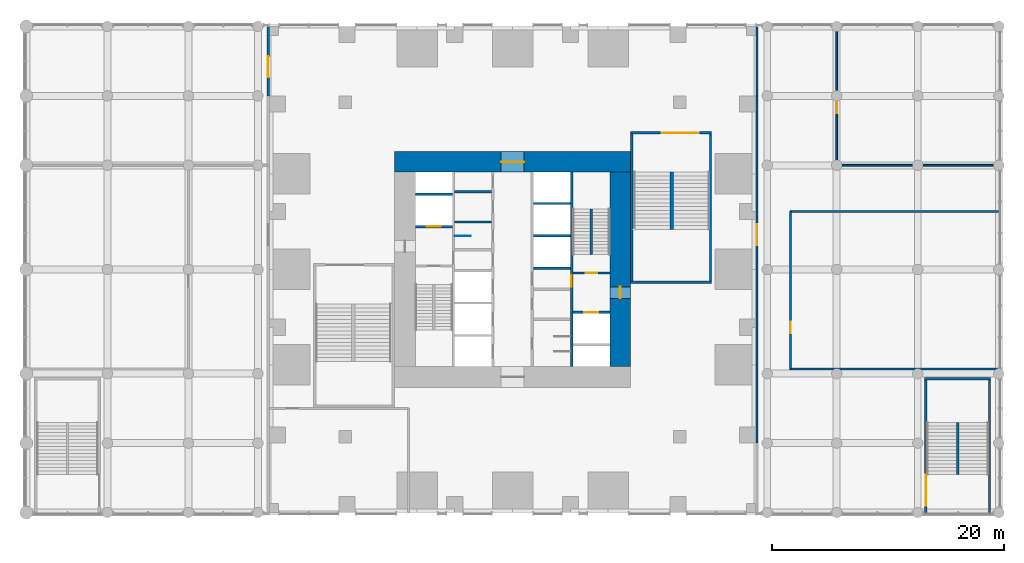
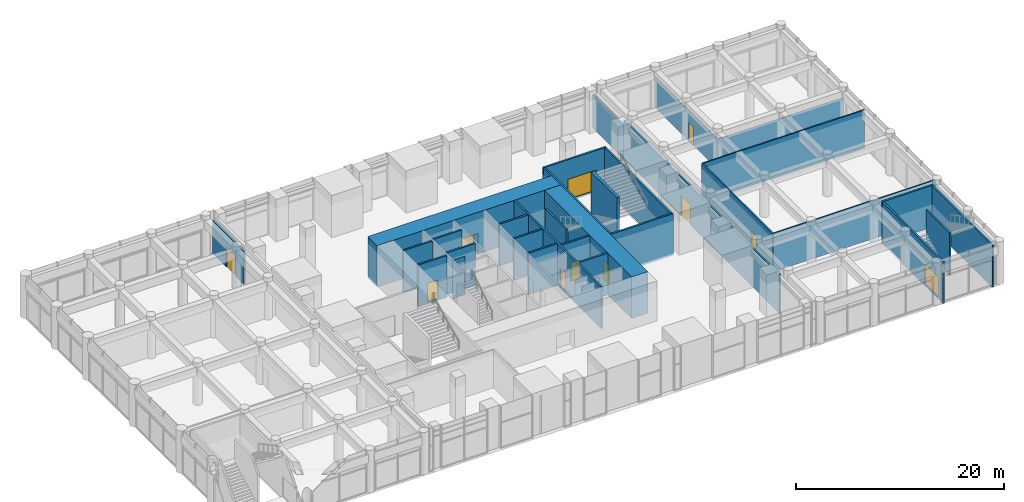
# One storey, part 17 of 23: 31 walls, 12 doors, 12 openings.
"""IFC4 building model written with IfcOpenShell, lengths in metres."""

from ifc_helpers import new_model, si_unit, direction, frame, frame_2d, origin, place, context, subcontext, project, spatial, rectangle, extrude, material, layer, layer_set, type_object, element, fill, save


model = new_model("IFC4")

# Units and contexts
model_context = context("Model", 3, precision=1e-05, world=origin(), true_north=direction((0.0, 1.0)))
body_context = subcontext(model_context, "Body", "Model", "MODEL_VIEW")
ifc_project = project(units=[si_unit("LENGTHUNIT", "METRE"), si_unit("AREAUNIT", "SQUARE_METRE"), si_unit("VOLUMEUNIT", "CUBIC_METRE"), si_unit("PLANEANGLEUNIT", "RADIAN"), si_unit("MASSUNIT", "GRAM", prefix="KILO")], contexts=[model_context])

# Site, building, storey
site_placement = place(None, origin())
site = spatial("IfcSite", under=ifc_project, at=site_placement, CompositionType="ELEMENT")
building_placement = place(site_placement, origin())
building = spatial("IfcBuilding", under=site, at=building_placement, Name="Svetlomir Tower", CompositionType="ELEMENT")
storey_placement = place(building_placement, frame((0.0, 0.0, 6.0)))
storey = spatial("IfcBuildingStorey", under=building, at=storey_placement, Name="L01", CompositionType="ELEMENT", Elevation=6.0)

# Wall, opening, door
ifc_material_1 = material(Name="Concrete C60/75", Category="concrete")
ifc_layer_1 = layer(ifc_material_1, 0.199951171875)
ifc_layer_set_1 = layer_set([ifc_layer_1], Name="Concrete C60/75")
wall_type_1 = type_object("IfcWallType", Name="CORE INNER WALL 200", PredefinedType="SHEAR", material=ifc_layer_set_1)
wall_1_placement = place(storey_placement, frame((26.10009765625, 12.60009765625, -0.199951171875), z_axis=(0.0, 0.0, 1.0), x_axis=(0.0, 1.0, 0.0)))
wall_1 = element("IfcWall", 1, at=wall_1_placement, inside=storey, type_object=wall_type_1, Name="Core inner wall 26.1 L01", PredefinedType="SHEAR", context=body_context, shape_type="SweptSolid", body=[
    extrude(rectangle(XDim=16.7998046875, YDim=0.199951171875, at=frame_2d((8.39990234375, 0.0))), origin(), (0.0, 0.0, 1.0), 4.89990234375),
])
opening_1_placement = place(wall_1_placement, frame((6.89990234375, 0.0, 0.199951171875)))
opening_1 = element("IfcOpeningElement", 2, at=opening_1_placement, cuts=wall_1, Name="Opening DF", PredefinedType="OPENING", context=body_context, shape_type="SweptSolid", body=[
    extrude(rectangle(XDim=1.0, YDim=2.199951171875, at=frame_2d((0.5, 1.10009765625))), frame((0.0, 0.10986328125, 0.0), z_axis=(0.0, -1.0, 0.0), x_axis=(1.0, 0.0, 0.0)), (0.0, 0.0, 1.0), 0.219970703125),
])
ifc_material_2 = material(Name="Steel fire door", Category="steel")
door_type_1 = type_object("IfcDoorType", Name="DOOR DF 1000x2200", OperationType="SINGLE_SWING_LEFT", PredefinedType="DOOR", material=ifc_material_2)
door_1_placement = place(opening_1_placement, origin())
door_1 = element("IfcDoor", 3, at=door_1_placement, inside=storey, type_object=door_type_1, Name="Core corridor east door L01", OperationType="SINGLE_SWING_LEFT", OverallHeight=2.199951171875, OverallWidth=1.0, PredefinedType="DOOR", context=body_context, shape_type="SweptSolid", body=[
    extrude(rectangle(XDim=1.0, YDim=2.199951171875, at=frame_2d((0.5, 1.10009765625))), frame((0.0, 0.02490234375, 0.0), z_axis=(0.0, -1.0, 0.0), x_axis=(1.0, 0.0, 0.0)), (0.0, 0.0, 1.0), 0.050048828125),
])
fill(opening_1, door_1)

wall_2_placement = place(storey_placement, frame((12.60009765625, 24.699951171875, -0.199951171875), z_axis=(0.0, 0.0, 1.0), x_axis=(1.0, 0.0, 0.0)))
wall_2 = element("IfcWall", 4, at=wall_2_placement, inside=storey, type_object=wall_type_1, Name="Core inner wall 12.6-15.8/24.7 L01", PredefinedType="SHEAR", context=body_context, shape_type="SweptSolid", body=[
    extrude(rectangle(XDim=3.199951171875, YDim=0.199951171875, at=frame_2d((1.60009765625, 0.0))), origin(), (0.0, 0.0, 1.0), 4.89990234375),
])
opening_2_placement = place(wall_2_placement, frame((1.0, 0.0, 0.199951171875)))
opening_2 = element("IfcOpeningElement", 5, at=opening_2_placement, cuts=wall_2, Name="Opening LD3", PredefinedType="OPENING", context=body_context, shape_type="SweptSolid", body=[
    extrude(rectangle(XDim=1.199951171875, YDim=2.199951171875, at=frame_2d((0.60009765625, 1.10009765625))), frame((0.0, 0.10986328125, 0.0), z_axis=(0.0, -1.0, 0.0), x_axis=(1.0, 0.0, 0.0)), (0.0, 0.0, 1.0), 0.219970703125),
])
ifc_material_3 = material(Name="Stainless steel fire-rated landing door", Category="steel")
door_type_2 = type_object("IfcDoorType", Name="FIREFIGHTING LIFT LANDING DOOR LD3 1200x2200", OperationType="DOUBLE_DOOR_SLIDING", PredefinedType="DOOR", material=ifc_material_3)
door_2_placement = place(opening_2_placement, origin())
door_2 = element("IfcDoor", 6, at=door_2_placement, inside=storey, type_object=door_type_2, Name="Landing door lift FL1 L01", OperationType="DOUBLE_DOOR_SLIDING", OverallHeight=2.199951171875, OverallWidth=1.199951171875, PredefinedType="DOOR", context=body_context, shape_type="SweptSolid", body=[
    extrude(rectangle(XDim=1.199951171875, YDim=2.199951171875, at=frame_2d((0.60009765625, 1.10009765625))), frame((0.0, 0.02490234375, 0.0), z_axis=(0.0, -1.0, 0.0), x_axis=(1.0, 0.0, 0.0)), (0.0, 0.0, 1.0), 0.050048828125),
])
fill(opening_2, door_2)

# Walls
for number, where, z_axis, x_axis, name in (
    (7, (12.60009765625, 27.5, -0.199951171875), (0.0, 0.0, 1.0), (1.0, 0.0, 0.0), "Core inner wall 12.6-15.8/27.5 L01"),
    (8, (16.0, 25.10009765625, -0.199951171875), (0.0, 0.0, 1.0), (1.0, 0.0, 0.0), "Core inner wall 16-19.2/25.1 L01"),
    (9, (16.0, 27.699951171875, -0.199951171875), (0.0, 0.0, 1.0), (1.0, 0.0, 0.0), "Core inner wall 16-19.2/27.7 L01"),
    (10, (22.800048828125, 21.10009765625, -0.199951171875), (0.0, 0.0, 1.0), (1.0, 0.0, 0.0), "Core inner wall 22.8-26/21.1 L01"),
    (11, (22.800048828125, 23.89990234375, -0.199951171875), (0.0, 0.0, 1.0), (1.0, 0.0, 0.0), "Core inner wall 22.8-26/23.9 L01"),
    (12, (22.800048828125, 26.699951171875, -0.199951171875), (0.0, 0.0, 1.0), (1.0, 0.0, 0.0), "Core inner wall 22.8-26/26.7 L01"),
):
    element("IfcWall", number, at=place(storey_placement, frame(where, z_axis=z_axis, x_axis=x_axis)), inside=storey, type_object=wall_type_1, Name=name, PredefinedType="SHEAR", context=body_context, shape_type="SweptSolid", body=[
        extrude(rectangle(XDim=3.199951171875, YDim=0.199951171875, at=frame_2d((1.60009765625, 0.0))), origin(), (0.0, 0.0, 1.0), 4.89990234375),
    ])

# Wall, opening, door
wall_3_placement = place(storey_placement, frame((26.199951171875, 17.300048828125, -0.199951171875), z_axis=(0.0, 0.0, 1.0), x_axis=(1.0, 0.0, 0.0)))
wall_3 = element("IfcWall", 13, at=wall_3_placement, inside=storey, type_object=wall_type_1, Name="Core inner wall 26.2-29.4/17.3 L01", PredefinedType="SHEAR", context=body_context, shape_type="SweptSolid", body=[
    extrude(rectangle(XDim=3.199951171875, YDim=0.199951171875, at=frame_2d((1.60009765625, 0.0))), origin(), (0.0, 0.0, 1.0), 4.89990234375),
])
opening_3_placement = place(wall_3_placement, frame((1.0, 0.0, 0.199951171875)))
opening_3 = element("IfcOpeningElement", 14, at=opening_3_placement, cuts=wall_3, Name="Opening LD3", PredefinedType="OPENING", context=body_context, shape_type="SweptSolid", body=[
    extrude(rectangle(XDim=1.199951171875, YDim=2.199951171875, at=frame_2d((0.60009765625, 1.10009765625))), frame((0.0, 0.10986328125, 0.0), z_axis=(0.0, -1.0, 0.0), x_axis=(1.0, 0.0, 0.0)), (0.0, 0.0, 1.0), 0.219970703125),
])
door_3_placement = place(opening_3_placement, origin())
door_3 = element("IfcDoor", 15, at=door_3_placement, inside=storey, type_object=door_type_2, Name="Landing door lift FL2 L01", OperationType="DOUBLE_DOOR_SLIDING", OverallHeight=2.199951171875, OverallWidth=1.199951171875, PredefinedType="DOOR", context=body_context, shape_type="SweptSolid", body=[
    extrude(rectangle(XDim=1.199951171875, YDim=2.199951171875, at=frame_2d((0.60009765625, 1.10009765625))), frame((0.0, 0.02490234375, 0.0), z_axis=(0.0, -1.0, 0.0), x_axis=(1.0, 0.0, 0.0)), (0.0, 0.0, 1.0), 0.050048828125),
])
fill(opening_3, door_3)

wall_4_placement = place(storey_placement, frame((26.199951171875, 20.699951171875, -0.199951171875), z_axis=(0.0, 0.0, 1.0), x_axis=(1.0, 0.0, 0.0)))
wall_4 = element("IfcWall", 16, at=wall_4_placement, inside=storey, type_object=wall_type_1, Name="Core inner wall 26.2-29.4/20.7 L01", PredefinedType="SHEAR", context=body_context, shape_type="SweptSolid", body=[
    extrude(rectangle(XDim=3.199951171875, YDim=0.199951171875, at=frame_2d((1.60009765625, 0.0))), origin(), (0.0, 0.0, 1.0), 4.89990234375),
])
opening_4_placement = place(wall_4_placement, frame((1.10009765625, 0.0, 0.199951171875)))
opening_4 = element("IfcOpeningElement", 17, at=opening_4_placement, cuts=wall_4, Name="Opening DF", PredefinedType="OPENING", context=body_context, shape_type="SweptSolid", body=[
    extrude(rectangle(XDim=1.0, YDim=2.199951171875, at=frame_2d((0.5, 1.10009765625))), frame((0.0, 0.10986328125, 0.0), z_axis=(0.0, -1.0, 0.0), x_axis=(1.0, 0.0, 0.0)), (0.0, 0.0, 1.0), 0.219970703125),
])
door_4_placement = place(opening_4_placement, origin())
door_4 = element("IfcDoor", 18, at=door_4_placement, inside=storey, type_object=door_type_1, Name="Stair S2 door L01", OperationType="SINGLE_SWING_RIGHT", OverallHeight=2.199951171875, OverallWidth=1.0, PredefinedType="DOOR", context=body_context, shape_type="SweptSolid", body=[
    extrude(rectangle(XDim=1.0, YDim=2.199951171875, at=frame_2d((0.5, 1.10009765625))), frame((0.0, 0.02490234375, 0.0), z_axis=(0.0, -1.0, 0.0), x_axis=(1.0, 0.0, 0.0)), (0.0, 0.0, 1.0), 0.050048828125),
])
fill(opening_4, door_4)

ifc_material_4 = material(Name="Concrete C60/75", Category="concrete")
ifc_layer_2 = layer(ifc_material_4, 1.800048828125)
ifc_layer_set_2 = layer_set([ifc_layer_2], Name="Concrete C60/75")
wall_type_2 = type_object("IfcWallType", Name="CORE WALL 1800", PredefinedType="SHEAR", material=ifc_layer_set_2)
wall_5_placement = place(storey_placement, frame((10.800048828125, 30.300048828125, -0.199951171875), z_axis=(0.0, 0.0, 1.0), x_axis=(1.0, 0.0, 0.0)))
wall_5 = element("IfcWall", 19, at=wall_5_placement, inside=storey, type_object=wall_type_2, Name="Core wall north L01", PredefinedType="SHEAR", context=body_context, shape_type="SweptSolid", body=[
    extrude(rectangle(XDim=20.39990234375, YDim=1.800048828125, at=frame_2d((10.199951171875, 0.0))), origin(), (0.0, 0.0, 1.0), 4.89990234375),
])
opening_5_placement = place(wall_5_placement, frame((9.199951171875, 0.0, 0.199951171875)))
opening_5 = element("IfcOpeningElement", 20, at=opening_5_placement, cuts=wall_5, Name="Opening DL", PredefinedType="OPENING", context=body_context, shape_type="SweptSolid", body=[
    extrude(rectangle(XDim=2.0, YDim=2.199951171875, at=frame_2d((1.0, 1.10009765625))), frame((0.0, 0.91015625, 0.0), z_axis=(0.0, -1.0, 0.0), x_axis=(1.0, 0.0, 0.0)), (0.0, 0.0, 1.0), 1.820068359375),
])
ifc_material_5 = material(Name="Steel fire door", Category="steel")
door_type_3 = type_object("IfcDoorType", Name="DOOR DL 2000x2200", OperationType="DOUBLE_DOOR_SINGLE_SWING", PredefinedType="DOOR", material=ifc_material_5)
door_5_placement = place(opening_5_placement, origin())
door_5 = element("IfcDoor", 21, at=door_5_placement, inside=storey, type_object=door_type_3, Name="Lift lobby north door L01", OperationType="DOUBLE_DOOR_SINGLE_SWING", OverallHeight=2.199951171875, OverallWidth=2.0, PredefinedType="DOOR", context=body_context, shape_type="SweptSolid", body=[
    extrude(rectangle(XDim=2.0, YDim=2.199951171875, at=frame_2d((1.0, 1.10009765625))), frame((0.0, 0.02490234375, 0.0), z_axis=(0.0, -1.0, 0.0), x_axis=(1.0, 0.0, 0.0)), (0.0, 0.0, 1.0), 0.050048828125),
])
fill(opening_5, door_5)

wall_6_placement = place(storey_placement, frame((30.300048828125, 12.60009765625, -0.199951171875), z_axis=(0.0, 0.0, 1.0), x_axis=(0.0, 1.0, 0.0)))
wall_6 = element("IfcWall", 22, at=wall_6_placement, inside=storey, type_object=wall_type_2, Name="Core wall east L01", PredefinedType="SHEAR", context=body_context, shape_type="SweptSolid", body=[
    extrude(rectangle(XDim=16.7998046875, YDim=1.800048828125, at=frame_2d((8.39990234375, 0.0))), origin(), (0.0, 0.0, 1.0), 4.89990234375),
])
opening_6_placement = place(wall_6_placement, frame((5.89990234375, 0.0, 0.199951171875)))
opening_6 = element("IfcOpeningElement", 23, at=opening_6_placement, cuts=wall_6, Name="Opening DF", PredefinedType="OPENING", context=body_context, shape_type="SweptSolid", body=[
    extrude(rectangle(XDim=1.0, YDim=2.199951171875, at=frame_2d((0.5, 1.10009765625))), frame((0.0, 0.91015625, 0.0), z_axis=(0.0, -1.0, 0.0), x_axis=(1.0, 0.0, 0.0)), (0.0, 0.0, 1.0), 1.820068359375),
])
door_6_placement = place(opening_6_placement, origin())
door_6 = element("IfcDoor", 24, at=door_6_placement, inside=storey, type_object=door_type_1, Name="Firefighting lobby east door L01", OperationType="SINGLE_SWING_RIGHT", OverallHeight=2.199951171875, OverallWidth=1.0, PredefinedType="DOOR", context=body_context, shape_type="SweptSolid", body=[
    extrude(rectangle(XDim=1.0, YDim=2.199951171875, at=frame_2d((0.5, 1.10009765625))), frame((0.0, 0.02490234375, 0.0), z_axis=(0.0, -1.0, 0.0), x_axis=(1.0, 0.0, 0.0)), (0.0, 0.0, 1.0), 0.050048828125),
])
fill(opening_6, door_6)

ifc_material_6 = material(Name="Reinforced blockwork fire wall", Category="masonry")
ifc_layer_3 = layer(ifc_material_6, 0.199951171875)
ifc_layer_set_3 = layer_set([ifc_layer_3], Name="Reinforced blockwork fire wall")
wall_type_3 = type_object("IfcWallType", Name="FIRE WALL 200", PredefinedType="PARTITIONING", material=ifc_layer_set_3)
wall_7_placement = place(storey_placement, frame((-0.110107421875, 36.0, 0.0), z_axis=(0.0, 0.0, 1.0), x_axis=(0.0, 1.0, 0.0)))
wall_7 = element("IfcWall", 25, at=wall_7_placement, inside=storey, type_object=wall_type_3, Name="Fire wall L01", PredefinedType="PARTITIONING", context=body_context, shape_type="SweptSolid", body=[
    extrude(rectangle(XDim=6.0, YDim=0.199951171875, at=frame_2d((3.0, 0.0))), origin(), (0.0, 0.0, 1.0), 3.8798828125),
])
opening_7_placement = place(wall_7_placement, frame((1.60009765625, 0.0, 0.0)))
opening_7 = element("IfcOpeningElement", 26, at=opening_7_placement, cuts=wall_7, Name="Opening FD120", PredefinedType="OPENING", context=body_context, shape_type="SweptSolid", body=[
    extrude(rectangle(XDim=1.800048828125, YDim=2.39990234375, at=frame_2d((0.89990234375, 1.199951171875))), frame((0.0, 0.10986328125, 0.0), z_axis=(0.0, -1.0, 0.0), x_axis=(1.0, 0.0, 0.0)), (0.0, 0.0, 1.0), 0.219970703125),
])
ifc_material_7 = material(Name="Self-closing steel fire door", Category="steel")
door_type_4 = type_object("IfcDoorType", Name="FIRE DOOR FD120 1800x2400", OperationType="DOUBLE_DOOR_SINGLE_SWING", PredefinedType="DOOR", material=ifc_material_7)
door_7_placement = place(opening_7_placement, origin())
door_7 = element("IfcDoor", 27, at=door_7_placement, inside=storey, type_object=door_type_4, Name="Kitchen stores fire door L01", OperationType="DOUBLE_DOOR_SINGLE_SWING", OverallHeight=2.39990234375, OverallWidth=1.800048828125, PredefinedType="DOOR", context=body_context, shape_type="SweptSolid", body=[
    extrude(rectangle(XDim=1.800048828125, YDim=2.39990234375, at=frame_2d((0.89990234375, 1.199951171875))), frame((0.0, 0.02490234375, 0.0), z_axis=(0.0, -1.0, 0.0), x_axis=(1.0, 0.0, 0.0)), (0.0, 0.0, 1.0), 0.050048828125),
])
fill(opening_7, door_7)

wall_8_placement = place(storey_placement, frame((42.110107421875, 6.0, 0.0), z_axis=(0.0, 0.0, 1.0), x_axis=(0.0, 1.0, 0.0)))
wall_8 = element("IfcWall", 28, at=wall_8_placement, inside=storey, type_object=wall_type_3, Name="Fire wall L01", PredefinedType="PARTITIONING", context=body_context, shape_type="SweptSolid", body=[
    extrude(rectangle(XDim=30.0, YDim=0.199951171875, at=frame_2d((15.0, 0.0))), origin(), (0.0, 0.0, 1.0), 4.5),
])
opening_8_placement = place(wall_8_placement, frame((17.10009765625, 0.0, 0.0)))
opening_8 = element("IfcOpeningElement", 29, at=opening_8_placement, cuts=wall_8, Name="Opening FD120", PredefinedType="OPENING", context=body_context, shape_type="SweptSolid", body=[
    extrude(rectangle(XDim=1.800048828125, YDim=2.39990234375, at=frame_2d((0.89990234375, 1.199951171875))), frame((0.0, 0.10986328125, 0.0), z_axis=(0.0, -1.0, 0.0), x_axis=(1.0, 0.0, 0.0)), (0.0, 0.0, 1.0), 0.219970703125),
])
door_8_placement = place(opening_8_placement, origin())
door_8 = element("IfcDoor", 30, at=door_8_placement, inside=storey, type_object=door_type_4, Name="Fire wall door L01", OperationType="DOUBLE_DOOR_SINGLE_SWING", OverallHeight=2.39990234375, OverallWidth=1.800048828125, PredefinedType="DOOR", context=body_context, shape_type="SweptSolid", body=[
    extrude(rectangle(XDim=1.800048828125, YDim=2.39990234375, at=frame_2d((0.89990234375, 1.199951171875))), frame((0.0, 0.02490234375, 0.0), z_axis=(0.0, -1.0, 0.0), x_axis=(1.0, 0.0, 0.0)), (0.0, 0.0, 1.0), 0.050048828125),
])
fill(opening_8, door_8)

# Wall
wall_9_placement = place(storey_placement, frame((42.110107421875, 36.0, 0.0), z_axis=(0.0, 0.0, 1.0), x_axis=(0.0, 1.0, 0.0)))
element("IfcWall", 31, at=wall_9_placement, inside=storey, type_object=wall_type_3, Name="Fire wall L01", PredefinedType="PARTITIONING", context=body_context, shape_type="SweptSolid", body=[
    extrude(rectangle(XDim=6.0, YDim=0.199951171875, at=frame_2d((3.0, 0.0))), origin(), (0.0, 0.0, 1.0), 3.8798828125),
])

# Wall, opening, door
ifc_material_8 = material(Name="Washable cement board on steel studs", Category="steel")
ifc_layer_4 = layer(ifc_material_8, 0.14990234375)
ifc_layer_set_4 = layer_set([ifc_layer_4], Name="Washable cement board on steel studs")
wall_type_4 = type_object("IfcWallType", Name="HYGIENIC PARTITION 150", PredefinedType="PARTITIONING", material=ifc_layer_set_4)
wall_10_placement = place(storey_placement, frame((45.0, 12.39990234375, 0.0), z_axis=(0.0, 0.0, 1.0), x_axis=(0.0, 1.0, 0.0)))
wall_10 = element("IfcWall", 32, at=wall_10_placement, inside=storey, type_object=wall_type_4, Name="Partition L01", PredefinedType="PARTITIONING", context=body_context, shape_type="SweptSolid", body=[
    extrude(rectangle(XDim=13.60009765625, YDim=0.14990234375, at=frame_2d((6.800048828125, 0.0))), origin(), (0.0, 0.0, 1.0), 4.5),
])
opening_9_placement = place(wall_10_placement, frame((3.10009765625, 0.0, 0.0)))
opening_9 = element("IfcOpeningElement", 33, at=opening_9_placement, cuts=wall_10, Name="Opening DR", PredefinedType="OPENING", context=body_context, shape_type="SweptSolid", body=[
    extrude(rectangle(XDim=1.0, YDim=2.199951171875, at=frame_2d((0.5, 1.10009765625))), frame((0.0, 0.0849609375, 0.0), z_axis=(0.0, -1.0, 0.0), x_axis=(1.0, 0.0, 0.0)), (0.0, 0.0, 1.0), 0.169921875),
])
ifc_material_9 = material(Name="Timber door, glazed side light", Category="wood")
door_type_5 = type_object("IfcDoorType", Name="DOOR DR 1000x2200", OperationType="SINGLE_SWING_LEFT", PredefinedType="DOOR", material=ifc_material_9)
door_9_placement = place(opening_9_placement, origin())
door_9 = element("IfcDoor", 34, at=door_9_placement, inside=storey, type_object=door_type_5, Name="Staff fitness centre door L01", OperationType="SINGLE_SWING_RIGHT", OverallHeight=2.199951171875, OverallWidth=1.0, PredefinedType="DOOR", context=body_context, shape_type="SweptSolid", body=[
    extrude(rectangle(XDim=1.0, YDim=2.199951171875, at=frame_2d((0.5, 1.10009765625))), frame((0.0, 0.02490234375, 0.0), z_axis=(0.0, -1.0, 0.0), x_axis=(1.0, 0.0, 0.0)), (0.0, 0.0, 1.0), 0.050048828125),
])
fill(opening_9, door_9)

# Walls
for number, where, z_axis, x_axis, name in (
    (35, (45.0, 12.39990234375, 0.0), (0.0, 0.0, 1.0), (1.0, 0.0, 0.0), "Partition L01"),
    (36, (45.0, 26.0, 0.0), (0.0, 0.0, 1.0), (1.0, 0.0, 0.0), "Partition L01"),
):
    element("IfcWall", number, at=place(storey_placement, frame(where, z_axis=z_axis, x_axis=x_axis)), inside=storey, type_object=wall_type_4, Name=name, PredefinedType="PARTITIONING", context=body_context, shape_type="SweptSolid", body=[
        extrude(rectangle(XDim=18.0, YDim=0.14990234375, at=frame_2d((9.0, 0.0))), origin(), (0.0, 0.0, 1.0), 4.5),
    ])

# Wall, opening, door
wall_11_placement = place(storey_placement, frame((49.0, 30.0, 0.0), z_axis=(0.0, 0.0, 1.0), x_axis=(0.0, 1.0, 0.0)))
wall_11 = element("IfcWall", 37, at=wall_11_placement, inside=storey, type_object=wall_type_4, Name="Partition L01", PredefinedType="PARTITIONING", context=body_context, shape_type="SweptSolid", body=[
    extrude(rectangle(XDim=12.0, YDim=0.14990234375, at=frame_2d((6.0, 0.0))), origin(), (0.0, 0.0, 1.0), 3.5),
])
opening_10_placement = place(wall_11_placement, frame((4.5, 0.0, 0.0)))
opening_10 = element("IfcOpeningElement", 38, at=opening_10_placement, cuts=wall_11, Name="Opening DR", PredefinedType="OPENING", context=body_context, shape_type="SweptSolid", body=[
    extrude(rectangle(XDim=1.0, YDim=2.199951171875, at=frame_2d((0.5, 1.10009765625))), frame((0.0, 0.0849609375, 0.0), z_axis=(0.0, -1.0, 0.0), x_axis=(1.0, 0.0, 0.0)), (0.0, 0.0, 1.0), 0.169921875),
])
door_10_placement = place(opening_10_placement, origin())
door_10 = element("IfcDoor", 39, at=door_10_placement, inside=storey, type_object=door_type_5, Name="Private dining room door L01", OperationType="SINGLE_SWING_RIGHT", OverallHeight=2.199951171875, OverallWidth=1.0, PredefinedType="DOOR", context=body_context, shape_type="SweptSolid", body=[
    extrude(rectangle(XDim=1.0, YDim=2.199951171875, at=frame_2d((0.5, 1.10009765625))), frame((0.0, 0.02490234375, 0.0), z_axis=(0.0, -1.0, 0.0), x_axis=(1.0, 0.0, 0.0)), (0.0, 0.0, 1.0), 0.050048828125),
])
fill(opening_10, door_10)

# Walls
wall_12_placement = place(storey_placement, frame((49.0, 30.0, 0.0), z_axis=(0.0, 0.0, 1.0), x_axis=(1.0, 0.0, 0.0)))
element("IfcWall", 40, at=wall_12_placement, inside=storey, type_object=wall_type_4, Name="Partition L01", PredefinedType="PARTITIONING", context=body_context, shape_type="SweptSolid", body=[
    extrude(rectangle(XDim=14.0, YDim=0.14990234375, at=frame_2d((7.0, 0.0))), origin(), (0.0, 0.0, 1.0), 3.5),
])
ifc_material_10 = material(Name="Concrete C60/75", Category="concrete")
ifc_layer_5 = layer(ifc_material_10, 0.199951171875)
ifc_layer_set_5 = layer_set([ifc_layer_5], Name="Concrete C60/75")
wall_type_5 = type_object("IfcWallType", Name="STAIR CORE WALL RC 200", PredefinedType="SOLIDWALL", material=ifc_layer_set_5)
wall_13_placement = place(storey_placement, frame((31.199951171875, 19.89990234375, -0.199951171875), z_axis=(0.0, 0.0, 1.0), x_axis=(1.0, 0.0, 0.0)))
element("IfcWall", 41, at=wall_13_placement, inside=storey, type_object=wall_type_5, Name="Stair P2 enclosure wall L01", PredefinedType="SOLIDWALL", context=body_context, shape_type="SweptSolid", body=[
    extrude(rectangle(XDim=7.0, YDim=0.199951171875, at=frame_2d((3.5, 0.0))), origin(), (0.0, 0.0, 1.0), 4.89990234375),
])
wall_14_placement = place(storey_placement, frame((38.10009765625, 19.800048828125, -0.199951171875), z_axis=(0.0, 0.0, 1.0), x_axis=(0.0, 1.0, 0.0)))
element("IfcWall", 42, at=wall_14_placement, inside=storey, type_object=wall_type_5, Name="Stair P2 enclosure wall L01", PredefinedType="SOLIDWALL", context=body_context, shape_type="SweptSolid", body=[
    extrude(rectangle(XDim=13.099853515625, YDim=0.199951171875, at=frame_2d((6.5498046875, 0.0))), origin(), (0.0, 0.0, 1.0), 4.89990234375),
])

# Wall, opening, door
wall_15_placement = place(storey_placement, frame((38.199951171875, 32.800048828125, -0.199951171875), z_axis=(0.0, 0.0, 1.0), x_axis=(-1.0, 0.0, 0.0)))
wall_15 = element("IfcWall", 43, at=wall_15_placement, inside=storey, type_object=wall_type_5, Name="Stair P2 enclosure wall L01", PredefinedType="SOLIDWALL", context=body_context, shape_type="SweptSolid", body=[
    extrude(rectangle(XDim=7.0, YDim=0.199951171875, at=frame_2d((3.5, 0.0))), origin(), (0.0, 0.0, 1.0), 4.89990234375),
])
opening_11_placement = place(wall_15_placement, frame((1.10009765625, 0.0, 0.199951171875)))
opening_11 = element("IfcOpeningElement", 44, at=opening_11_placement, cuts=wall_15, Name="Opening DS32", PredefinedType="OPENING", context=body_context, shape_type="SweptSolid", body=[
    extrude(rectangle(XDim=3.199951171875, YDim=2.39990234375, at=frame_2d((1.60009765625, 1.199951171875))), frame((0.0, 0.10986328125, 0.0), z_axis=(0.0, -1.0, 0.0), x_axis=(1.0, 0.0, 0.0)), (0.0, 0.0, 1.0), 0.219970703125),
])
ifc_material_11 = material(Name="Steel fire door", Category="steel")
door_type_6 = type_object("IfcDoorType", Name="STAIR DOUBLE DOOR DS 3200x2400", OperationType="DOUBLE_DOOR_SINGLE_SWING", PredefinedType="DOOR", material=ifc_material_11)
door_11_placement = place(opening_11_placement, origin())
door_11 = element("IfcDoor", 45, at=door_11_placement, inside=storey, type_object=door_type_6, Name="Stair P2 door L01", OperationType="DOUBLE_DOOR_SINGLE_SWING", OverallHeight=2.39990234375, OverallWidth=3.199951171875, PredefinedType="DOOR", context=body_context, shape_type="SweptSolid", body=[
    extrude(rectangle(XDim=3.199951171875, YDim=2.39990234375, at=frame_2d((1.60009765625, 1.199951171875))), frame((0.0, 0.02490234375, 0.0), z_axis=(0.0, -1.0, 0.0), x_axis=(1.0, 0.0, 0.0)), (0.0, 0.0, 1.0), 0.050048828125),
])
fill(opening_11, door_11)

# Walls
wall_16_placement = place(storey_placement, frame((31.300048828125, 32.89990234375, -0.199951171875), z_axis=(0.0, 0.0, 1.0), x_axis=(0.0, -1.0, 0.0)))
element("IfcWall", 46, at=wall_16_placement, inside=storey, type_object=wall_type_5, Name="Stair P2 enclosure wall L01", PredefinedType="SOLIDWALL", context=body_context, shape_type="SweptSolid", body=[
    extrude(rectangle(XDim=13.099853515625, YDim=0.199951171875, at=frame_2d((6.5498046875, 0.0))), origin(), (0.0, 0.0, 1.0), 4.89990234375),
])
wall_17_placement = place(storey_placement, frame((62.199951171875, -0.199951171875, -0.199951171875), z_axis=(0.0, 0.0, 1.0), x_axis=(0.0, 1.0, 0.0)))
element("IfcWall", 47, at=wall_17_placement, inside=storey, type_object=wall_type_5, Name="Stair P4 enclosure wall L01", PredefinedType="SOLIDWALL", context=body_context, shape_type="SweptSolid", body=[
    extrude(rectangle(XDim=11.849853515625, YDim=0.199951171875, at=frame_2d((5.9248046875, 0.0))), origin(), (0.0, 0.0, 1.0), 4.89990234375),
])
wall_18_placement = place(storey_placement, frame((62.300048828125, 11.550048828125, -0.199951171875), z_axis=(0.0, 0.0, 1.0), x_axis=(-1.0, 0.0, 0.0)))
element("IfcWall", 48, at=wall_18_placement, inside=storey, type_object=wall_type_5, Name="Stair P4 enclosure wall L01", PredefinedType="SOLIDWALL", context=body_context, shape_type="SweptSolid", body=[
    extrude(rectangle(XDim=5.699951171875, YDim=0.199951171875, at=frame_2d((2.85009765625, 0.0))), origin(), (0.0, 0.0, 1.0), 4.89990234375),
])

# Wall, opening, door
wall_19_placement = place(storey_placement, frame((56.699951171875, 11.64990234375, -0.199951171875), z_axis=(0.0, 0.0, 1.0), x_axis=(0.0, -1.0, 0.0)))
wall_19 = element("IfcWall", 49, at=wall_19_placement, inside=storey, type_object=wall_type_5, Name="Stair P4 enclosure wall L01", PredefinedType="SOLIDWALL", context=body_context, shape_type="SweptSolid", body=[
    extrude(rectangle(XDim=11.849853515625, YDim=0.199951171875, at=frame_2d((5.9248046875, 0.0))), origin(), (0.0, 0.0, 1.0), 4.89990234375),
])
opening_12_placement = place(wall_19_placement, frame((8.39990234375, 0.0, 0.199951171875)))
opening_12 = element("IfcOpeningElement", 50, at=opening_12_placement, cuts=wall_19, Name="Opening DS26", PredefinedType="OPENING", context=body_context, shape_type="SweptSolid", body=[
    extrude(rectangle(XDim=2.64990234375, YDim=2.39990234375, at=frame_2d((1.324951171875, 1.199951171875))), frame((0.0, 0.10986328125, 0.0), z_axis=(0.0, -1.0, 0.0), x_axis=(1.0, 0.0, 0.0)), (0.0, 0.0, 1.0), 0.219970703125),
])
ifc_material_12 = material(Name="Steel fire door", Category="steel")
door_type_7 = type_object("IfcDoorType", Name="STAIR DOUBLE DOOR DS 2650x2400", OperationType="DOUBLE_DOOR_SINGLE_SWING", PredefinedType="DOOR", material=ifc_material_12)
door_12_placement = place(opening_12_placement, origin())
door_12 = element("IfcDoor", 51, at=door_12_placement, inside=storey, type_object=door_type_7, Name="Stair P4 door L01", OperationType="DOUBLE_DOOR_SINGLE_SWING", OverallHeight=2.39990234375, OverallWidth=2.64990234375, PredefinedType="DOOR", context=body_context, shape_type="SweptSolid", body=[
    extrude(rectangle(XDim=2.64990234375, YDim=2.39990234375, at=frame_2d((1.324951171875, 1.199951171875))), frame((0.0, 0.02490234375, 0.0), z_axis=(0.0, -1.0, 0.0), x_axis=(1.0, 0.0, 0.0)), (0.0, 0.0, 1.0), 0.050048828125),
])
fill(opening_12, door_12)

# Walls
ifc_material_13 = material(Name="Concrete C60/75", Category="concrete")
ifc_layer_6 = layer(ifc_material_13, 0.199951171875)
ifc_layer_set_6 = layer_set([ifc_layer_6], Name="Concrete C60/75")
wall_type_6 = type_object("IfcWallType", Name="STAIR SPINE WALL 200", PredefinedType="PARTITIONING", material=ifc_layer_set_6)
wall_20_placement = place(storey_placement, frame((27.800048828125, 22.300048828125, 0.0), z_axis=(0.0, 0.0, 1.0), x_axis=(0.0, 1.0, 0.0)))
element("IfcWall", 52, at=wall_20_placement, inside=storey, type_object=wall_type_6, Name="Stair S2 spine wall L01", PredefinedType="PARTITIONING", context=body_context, shape_type="SweptSolid", body=[
    extrude(rectangle(XDim=3.919921875, YDim=0.199951171875, at=frame_2d((1.9599609375, 0.0))), origin(), (0.0, 0.0, 1.0), 5.0),
])
wall_21_placement = place(storey_placement, frame((59.449951171875, 3.300048828125, 0.0), z_axis=(0.0, 0.0, 1.0), x_axis=(0.0, 1.0, 0.0)))
element("IfcWall", 53, at=wall_21_placement, inside=storey, type_object=wall_type_6, Name="Stair P4 spine wall L01", PredefinedType="PARTITIONING", context=body_context, shape_type="SweptSolid", body=[
    extrude(rectangle(XDim=4.5, YDim=0.199951171875, at=frame_2d((2.25, 0.0))), origin(), (0.0, 0.0, 1.0), 5.0),
])
ifc_material_14 = material(Name="Concrete C60/75", Category="concrete")
ifc_layer_7 = layer(ifc_material_14, 0.300048828125)
ifc_layer_set_7 = layer_set([ifc_layer_7], Name="Concrete C60/75")
wall_type_7 = type_object("IfcWallType", Name="STAIR SPINE WALL 300", PredefinedType="PARTITIONING", material=ifc_layer_set_7)
wall_22_placement = place(storey_placement, frame((34.75, 24.449951171875, 0.0), z_axis=(0.0, 0.0, 1.0), x_axis=(0.0, 1.0, 0.0)))
element("IfcWall", 54, at=wall_22_placement, inside=storey, type_object=wall_type_7, Name="Stair P2 spine wall L01", PredefinedType="PARTITIONING", context=body_context, shape_type="SweptSolid", body=[
    extrude(rectangle(XDim=4.949951171875, YDim=0.300048828125, at=frame_2d((2.47509765625, 0.0))), origin(), (0.0, 0.0, 1.0), 5.0),
])
ifc_material_15 = material(Name="Compact laminate panel", Category="plastic")
ifc_layer_8 = layer(ifc_material_15, 0.030029296875)
ifc_layer_set_8 = layer_set([ifc_layer_8], Name="Compact laminate panel")
wall_type_8 = type_object("IfcWallType", Name="WC CUBICLE PARTITION 30", PredefinedType="PARTITIONING", material=ifc_layer_set_8)
wall_23_placement = place(storey_placement, frame((16.0, 23.89990234375, 0.0), z_axis=(0.0, 0.0, 1.0), x_axis=(1.0, 0.0, 0.0)))
element("IfcWall", 55, at=wall_23_placement, inside=storey, type_object=wall_type_8, Name="WC cubicle partition L01", PredefinedType="PARTITIONING", context=body_context, shape_type="SweptSolid", body=[
    extrude(rectangle(XDim=1.39990234375, YDim=0.030029296875, at=frame_2d((0.699951171875, 0.0))), origin(), (0.0, 0.0, 1.0), 4.5),
])

save(model, "model.ifc")
